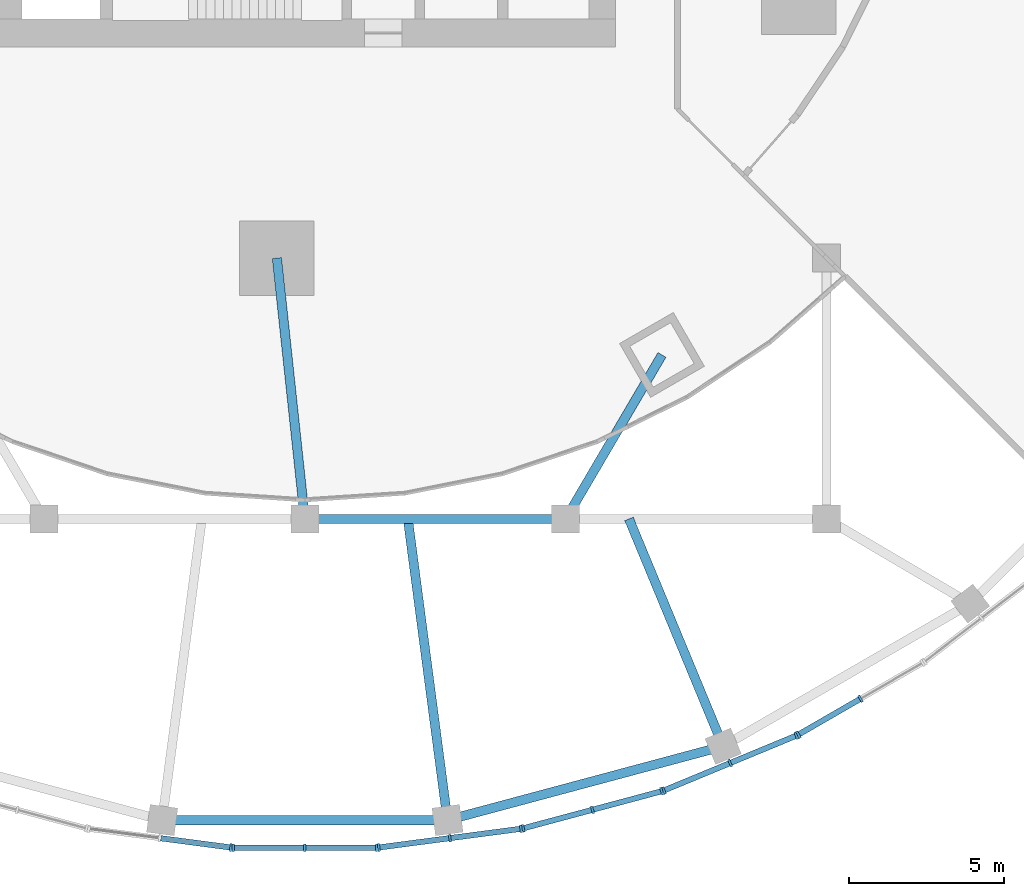
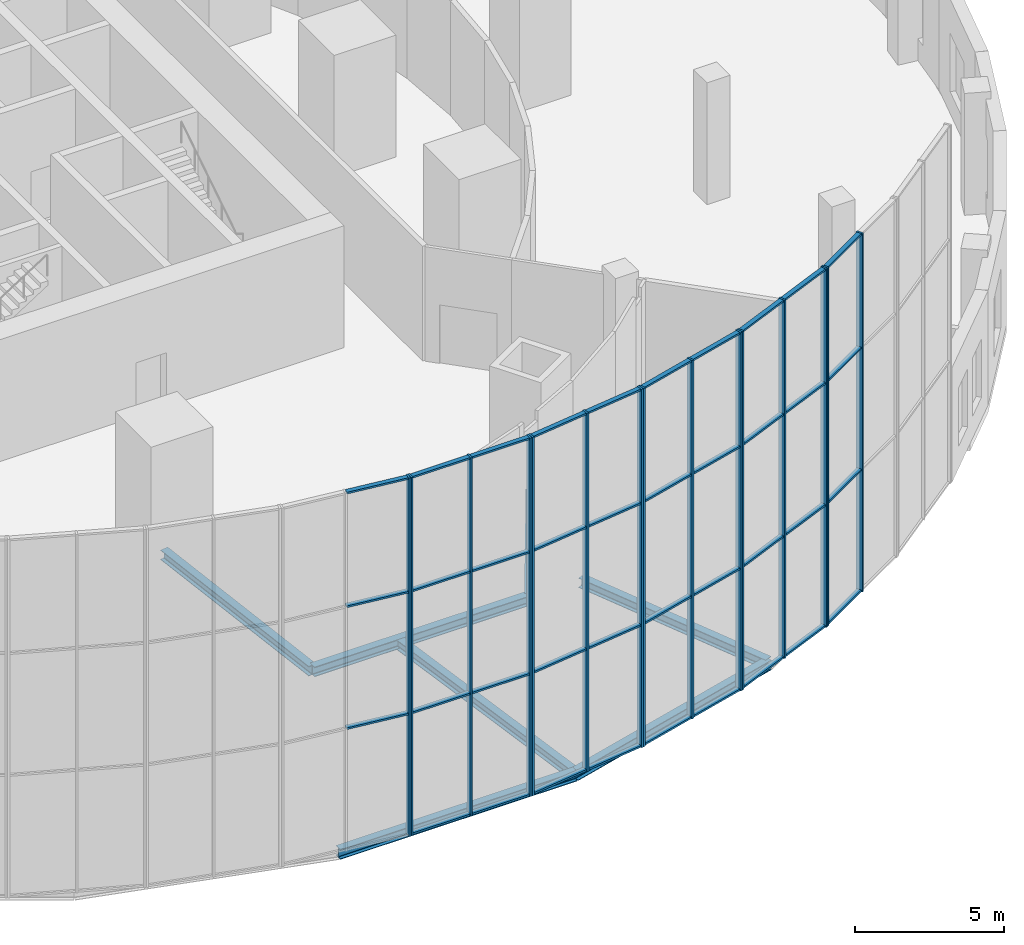
# One storey, part 3 of 17: 54 members, 7 beams, 6 elements without a shape of their own.
"""IFC4 building model written with IfcOpenShell, lengths in metres."""

from ifc_helpers import new_model, si_unit, direction, frame, origin, origin_2d, place, context, subcontext, project, spatial, rectangle, i_section, extrude, material, material_profile, profile_set, type_object, element, aggregate, save


model = new_model("IFC4")

# Units and contexts
model_context = context("Model", 3, precision=1e-05, world=origin(), true_north=direction((0.0, 1.0)))
body_context = subcontext(model_context, "Body", "Model", "MODEL_VIEW")
ifc_project = project(units=[si_unit("LENGTHUNIT", "METRE"), si_unit("AREAUNIT", "SQUARE_METRE"), si_unit("VOLUMEUNIT", "CUBIC_METRE"), si_unit("PLANEANGLEUNIT", "RADIAN"), si_unit("MASSUNIT", "GRAM", prefix="KILO")], contexts=[model_context])

# Site, building, storey
site_placement = place(None, origin())
site = spatial("IfcSite", under=ifc_project, at=site_placement, CompositionType="ELEMENT")
building_placement = place(site_placement, origin())
building = spatial("IfcBuilding", under=site, at=building_placement, Name="Golbaran Civic Tower", CompositionType="ELEMENT")
storey_placement = place(building_placement, frame((0.0, 0.0, 6.0)))
storey = spatial("IfcBuildingStorey", under=building, at=storey_placement, Name="L01", CompositionType="ELEMENT", Elevation=6.0)

# Beams
ifc_material_1 = material(Name="Steel S355", Category="steel")
ifc_material_profile_1 = material_profile(ifc_material_1, i_section(OverallWidth=0.300048828125, OverallDepth=0.39990234375, WebThickness=0.013427734375, FlangeThickness=0.02392578125, FilletRadius=0.027099609375, at=origin_2d()), Name="HEB 400")
ifc_profile_set_1 = profile_set([ifc_material_profile_1], Name="Steel S355")
beam_type = type_object("IfcBeamType", Name="ATRIUM BRACING TIE HEB 400", PredefinedType="BEAM", material=ifc_profile_set_1)
beam_1_placement = place(storey_placement, frame((0.0, -25.199951171875, -0.5), z_axis=(1.0, 0.0, 0.0), x_axis=(0.0, 1.0, 0.0)))
element("IfcBeam", 1, at=beam_1_placement, inside=storey, type_object=beam_type, Name="Atrium bracing tie L01 ROW 03", PredefinedType="BEAM", context=body_context, shape_type="SweptSolid", body=[
    extrude(i_section(OverallWidth=0.300048828125, OverallDepth=0.39990234375, WebThickness=0.013427734375, FlangeThickness=0.02392578125, FilletRadius=0.027099609375, at=origin_2d()), origin(), (0.0, 0.0, 1.0), 8.39990234375),
])
beam_2_placement = place(storey_placement, frame((-4.594482421875, -34.89892578125, -0.5), z_axis=(1.0, 0.0, 0.0), x_axis=(0.0, 1.0, 0.0)))
element("IfcBeam", 2, at=beam_2_placement, inside=storey, type_object=beam_type, Name="Atrium bracing tie L01 RING 04", PredefinedType="BEAM", context=body_context, shape_type="SweptSolid", body=[
    extrude(i_section(OverallWidth=0.300048828125, OverallDepth=0.39990234375, WebThickness=0.013427734375, FlangeThickness=0.02392578125, FilletRadius=0.027099609375, at=origin_2d()), origin(), (0.0, 0.0, 1.0), 9.18896484375),
])
beam_3_placement = place(storey_placement, frame((4.594482421875, -34.89892578125, -0.5), z_axis=(0.965922909277, 0.258829931295, 0.0), x_axis=(-0.258829931295, 0.965922909277, 0.0)))
element("IfcBeam", 3, at=beam_3_placement, inside=storey, type_object=beam_type, Name="Atrium bracing tie L01 RING 05", PredefinedType="BEAM", context=body_context, shape_type="SweptSolid", body=[
    extrude(i_section(OverallWidth=0.300048828125, OverallDepth=0.39990234375, WebThickness=0.013427734375, FlangeThickness=0.02392578125, FilletRadius=0.027099609375, at=origin_2d()), origin(), (0.0, 0.0, 1.0), 9.189208984375),
])
beam_4_placement = place(storey_placement, frame((0.0, -25.199951171875, -0.5), z_axis=(-0.106522919579, 0.994310247159, 0.0), x_axis=(-0.994310247159, -0.106522919579, 0.0)))
element("IfcBeam", 4, at=beam_4_placement, inside=storey, type_object=beam_type, Name="Atrium bracing tie L01 GR 6C", PredefinedType="BEAM", context=body_context, shape_type="SweptSolid", body=[
    extrude(i_section(OverallWidth=0.300048828125, OverallDepth=0.39990234375, WebThickness=0.013427734375, FlangeThickness=0.02392578125, FilletRadius=0.027099609375, at=origin_2d()), origin(), (0.0, 0.0, 1.0), 8.447998046875),
])
beam_5_placement = place(storey_placement, frame((8.39990234375, -25.199951171875, -0.5), z_axis=(0.506228930688, 0.862399135977, 0.0), x_axis=(-0.862399135977, 0.506228930688, 0.0)))
element("IfcBeam", 5, at=beam_5_placement, inside=storey, type_object=beam_type, Name="Atrium bracing tie L01 GR 7C", PredefinedType="BEAM", context=body_context, shape_type="SweptSolid", body=[
    extrude(i_section(OverallWidth=0.300048828125, OverallDepth=0.39990234375, WebThickness=0.013427734375, FlangeThickness=0.02392578125, FilletRadius=0.027099609375, at=origin_2d()), origin(), (0.0, 0.0, 1.0), 6.1240234375),
])
beam_6_placement = place(storey_placement, frame((4.594482421875, -34.89892578125, -0.5), z_axis=(-0.130522297348, 0.991445374136, 0.0), x_axis=(-0.991445374136, -0.130522297348, 0.0)))
element("IfcBeam", 6, at=beam_6_placement, inside=storey, type_object=beam_type, Name="Atrium bracing tie L01 ER 2775", PredefinedType="BEAM", context=body_context, shape_type="SweptSolid", body=[
    extrude(i_section(OverallWidth=0.300048828125, OverallDepth=0.39990234375, WebThickness=0.013427734375, FlangeThickness=0.02392578125, FilletRadius=0.027099609375, at=origin_2d()), origin(), (0.0, 0.0, 1.0), 9.78271484375),
])
beam_7_placement = place(storey_placement, frame((13.470458984375, -32.5205078125, -0.5), z_axis=(-0.382678339047, 0.923881642216, 0.0), x_axis=(-0.923881642216, -0.382678339047, 0.0)))
element("IfcBeam", 7, at=beam_7_placement, inside=storey, type_object=beam_type, Name="Atrium bracing tie L01 ER 2925", PredefinedType="BEAM", context=body_context, shape_type="SweptSolid", body=[
    extrude(i_section(OverallWidth=0.300048828125, OverallDepth=0.39990234375, WebThickness=0.013427734375, FlangeThickness=0.02392578125, FilletRadius=0.027099609375, at=origin_2d()), origin(), (0.0, 0.0, 1.0), 7.923583984375),
])

# Curtain wall, member
ifc_material_2 = material(Name="Aluminium and glass", Category="aluminium")
curtain_wall_type = type_object("IfcCurtainWallType", Name="ATRIUM CURTAIN WALL", PredefinedType="NOTDEFINED", material=ifc_material_2)
curtain_wall_1_placement = place(storey_placement, origin())
curtain_wall_1 = element("IfcCurtainWall", 8, at=curtain_wall_1_placement, inside=storey, type_object=curtain_wall_type, Name="Atrium curtain wall facet 35 CW4", ObjectType="ATRIUM GLAZING", PredefinedType="USERDEFINED")
ifc_material_3 = material(Name="Aluminium", Category="aluminium")
ifc_material_profile_2 = material_profile(ifc_material_3, rectangle(XDim=0.25, YDim=0.074951171875, at=origin_2d()), Name="ATRIUM CURTAIN WALL MULLION")
ifc_profile_set_2 = profile_set([ifc_material_profile_2], Name="Aluminium")
member_type_1 = type_object("IfcMemberType", Name="ATRIUM CURTAIN WALL MULLION", PredefinedType="MULLION", material=ifc_profile_set_2)
member_1_placement = place(storey_placement, frame((-2.382568359375, -35.780029296875, 0.0), z_axis=(0.0, 0.0, 1.0), x_axis=(0.130526192134, 0.991444861385, 0.0)))
member_1 = element("IfcMember", 9, at=member_1_placement, type_object=member_type_1, Name="CW4 mullion 3", PredefinedType="MULLION", context=body_context, shape_type="SweptSolid", body=[
    extrude(rectangle(XDim=0.25, YDim=0.074951171875, at=origin_2d()), origin(), (0.0, 0.0, 1.0), 14.699951171875),
])

# Curtain wall, members
curtain_wall_2_placement = place(storey_placement, origin())
curtain_wall_2 = element("IfcCurtainWall", 10, at=curtain_wall_2_placement, inside=storey, type_object=curtain_wall_type, Name="Atrium curtain wall facet 36 CW4", ObjectType="ATRIUM GLAZING", PredefinedType="USERDEFINED")
member_2_placement = place(storey_placement, frame((-2.307861328125, -35.784912109375, 0.0), z_axis=(0.0, 0.0, 1.0), x_axis=(0.0, 1.0, 0.0)))
member_2 = element("IfcMember", 11, at=member_2_placement, type_object=member_type_1, Name="CW4 mullion 1", PredefinedType="MULLION", context=body_context, shape_type="SweptSolid", body=[
    extrude(rectangle(XDim=0.25, YDim=0.074951171875, at=origin_2d()), origin(), (0.0, 0.0, 1.0), 14.699951171875),
])
member_3_placement = place(storey_placement, frame((0.0, -35.784912109375, 0.0), z_axis=(0.0, 0.0, 1.0), x_axis=(0.0, 1.0, 0.0)))
member_3 = element("IfcMember", 12, at=member_3_placement, type_object=member_type_1, Name="CW4 mullion 2", PredefinedType="MULLION", context=body_context, shape_type="SweptSolid", body=[
    extrude(rectangle(XDim=0.25, YDim=0.074951171875, at=origin_2d()), origin(), (0.0, 0.0, 1.0), 14.699951171875),
])
member_4_placement = place(storey_placement, frame((2.307861328125, -35.784912109375, 0.0), z_axis=(0.0, 0.0, 1.0), x_axis=(0.0, 1.0, 0.0)))
member_4 = element("IfcMember", 13, at=member_4_placement, type_object=member_type_1, Name="CW4 mullion 3", PredefinedType="MULLION", context=body_context, shape_type="SweptSolid", body=[
    extrude(rectangle(XDim=0.25, YDim=0.074951171875, at=origin_2d()), origin(), (0.0, 0.0, 1.0), 14.699951171875),
])

curtain_wall_3_placement = place(storey_placement, origin())
curtain_wall_3 = element("IfcCurtainWall", 14, at=curtain_wall_3_placement, inside=storey, type_object=curtain_wall_type, Name="Atrium curtain wall facet 37 CW4", ObjectType="ATRIUM GLAZING", PredefinedType="USERDEFINED")
member_5_placement = place(storey_placement, frame((2.382568359375, -35.780029296875, 0.0), z_axis=(0.0, 0.0, 1.0), x_axis=(-0.130526192134, 0.991444861385, 0.0)))
member_5 = element("IfcMember", 15, at=member_5_placement, type_object=member_type_1, Name="CW4 mullion 1", PredefinedType="MULLION", context=body_context, shape_type="SweptSolid", body=[
    extrude(rectangle(XDim=0.25, YDim=0.074951171875, at=origin_2d()), origin(), (0.0, 0.0, 1.0), 14.699951171875),
])
member_6_placement = place(storey_placement, frame((4.6708984375, -35.478759765625, 0.0), z_axis=(0.0, 0.0, 1.0), x_axis=(-0.130526192134, 0.991444861385, 0.0)))
member_6 = element("IfcMember", 16, at=member_6_placement, type_object=member_type_1, Name="CW4 mullion 2", PredefinedType="MULLION", context=body_context, shape_type="SweptSolid", body=[
    extrude(rectangle(XDim=0.25, YDim=0.074951171875, at=origin_2d()), origin(), (0.0, 0.0, 1.0), 14.699951171875),
])
member_7_placement = place(storey_placement, frame((6.959228515625, -35.177490234375, 0.0), z_axis=(0.0, 0.0, 1.0), x_axis=(-0.130526192134, 0.991444861385, 0.0)))
member_7 = element("IfcMember", 17, at=member_7_placement, type_object=member_type_1, Name="CW4 mullion 3", PredefinedType="MULLION", context=body_context, shape_type="SweptSolid", body=[
    extrude(rectangle(XDim=0.25, YDim=0.074951171875, at=origin_2d()), origin(), (0.0, 0.0, 1.0), 14.699951171875),
])

curtain_wall_4_placement = place(storey_placement, origin())
curtain_wall_4 = element("IfcCurtainWall", 18, at=curtain_wall_4_placement, inside=storey, type_object=curtain_wall_type, Name="Atrium curtain wall facet 38 CW4", ObjectType="ATRIUM GLAZING", PredefinedType="USERDEFINED")
member_8_placement = place(storey_placement, frame((7.032470703125, -35.1630859375, 0.0), z_axis=(0.0, 0.0, 1.0), x_axis=(-0.258819045153, 0.965925826276, 0.0)))
member_8 = element("IfcMember", 19, at=member_8_placement, type_object=member_type_1, Name="CW4 mullion 1", PredefinedType="MULLION", context=body_context, shape_type="SweptSolid", body=[
    extrude(rectangle(XDim=0.25, YDim=0.074951171875, at=origin_2d()), origin(), (0.0, 0.0, 1.0), 14.699951171875),
])
member_9_placement = place(storey_placement, frame((9.26171875, -34.565673828125, 0.0), z_axis=(0.0, 0.0, 1.0), x_axis=(-0.258819045153, 0.965925826276, 0.0)))
member_9 = element("IfcMember", 20, at=member_9_placement, type_object=member_type_1, Name="CW4 mullion 2", PredefinedType="MULLION", context=body_context, shape_type="SweptSolid", body=[
    extrude(rectangle(XDim=0.25, YDim=0.074951171875, at=origin_2d()), origin(), (0.0, 0.0, 1.0), 14.699951171875),
])
member_10_placement = place(storey_placement, frame((11.4912109375, -33.96826171875, 0.0), z_axis=(0.0, 0.0, 1.0), x_axis=(-0.258819045153, 0.965925826276, 0.0)))
member_10 = element("IfcMember", 21, at=member_10_placement, type_object=member_type_1, Name="CW4 mullion 3", PredefinedType="MULLION", context=body_context, shape_type="SweptSolid", body=[
    extrude(rectangle(XDim=0.25, YDim=0.074951171875, at=origin_2d()), origin(), (0.0, 0.0, 1.0), 14.699951171875),
])

curtain_wall_5_placement = place(storey_placement, origin())
curtain_wall_5 = element("IfcCurtainWall", 22, at=curtain_wall_5_placement, inside=storey, type_object=curtain_wall_type, Name="Atrium curtain wall facet 39 CW4", ObjectType="ATRIUM GLAZING", PredefinedType="USERDEFINED")
member_11_placement = place(storey_placement, frame((11.56201171875, -33.9443359375, 0.0), z_axis=(0.0, 0.0, 1.0), x_axis=(-0.382683432349, 0.923879532518, 0.0)))
member_11 = element("IfcMember", 23, at=member_11_placement, type_object=member_type_1, Name="CW4 mullion 1", PredefinedType="MULLION", context=body_context, shape_type="SweptSolid", body=[
    extrude(rectangle(XDim=0.25, YDim=0.074951171875, at=origin_2d()), origin(), (0.0, 0.0, 1.0), 14.699951171875),
])
member_12_placement = place(storey_placement, frame((13.6943359375, -33.06103515625, 0.0), z_axis=(0.0, 0.0, 1.0), x_axis=(-0.382683432349, 0.923879532518, 0.0)))
member_12 = element("IfcMember", 24, at=member_12_placement, type_object=member_type_1, Name="CW4 mullion 2", PredefinedType="MULLION", context=body_context, shape_type="SweptSolid", body=[
    extrude(rectangle(XDim=0.25, YDim=0.074951171875, at=origin_2d()), origin(), (0.0, 0.0, 1.0), 14.699951171875),
])
member_13_placement = place(storey_placement, frame((15.82666015625, -32.177734375, 0.0), z_axis=(0.0, 0.0, 1.0), x_axis=(-0.382683432349, 0.923879532518, 0.0)))
member_13 = element("IfcMember", 25, at=member_13_placement, type_object=member_type_1, Name="CW4 mullion 3", PredefinedType="MULLION", context=body_context, shape_type="SweptSolid", body=[
    extrude(rectangle(XDim=0.25, YDim=0.074951171875, at=origin_2d()), origin(), (0.0, 0.0, 1.0), 14.699951171875),
])

curtain_wall_6_placement = place(storey_placement, origin())
curtain_wall_6 = element("IfcCurtainWall", 26, at=curtain_wall_6_placement, inside=storey, type_object=curtain_wall_type, Name="Atrium curtain wall facet 40 CW4", ObjectType="ATRIUM GLAZING", PredefinedType="USERDEFINED")
member_14_placement = place(storey_placement, frame((15.893798828125, -32.144775390625, 0.0), z_axis=(0.0, 0.0, 1.0), x_axis=(-0.500000000076, 0.866025403741, 0.0)))
member_14 = element("IfcMember", 27, at=member_14_placement, type_object=member_type_1, Name="CW4 mullion 1", PredefinedType="MULLION", context=body_context, shape_type="SweptSolid", body=[
    extrude(rectangle(XDim=0.25, YDim=0.074951171875, at=origin_2d()), origin(), (0.0, 0.0, 1.0), 14.699951171875),
])
member_15_placement = place(storey_placement, frame((17.892578125, -30.99072265625, 0.0), z_axis=(0.0, 0.0, 1.0), x_axis=(-0.500000000076, 0.866025403741, 0.0)))
member_15 = element("IfcMember", 28, at=member_15_placement, type_object=member_type_1, Name="CW4 mullion 2", PredefinedType="MULLION", context=body_context, shape_type="SweptSolid", body=[
    extrude(rectangle(XDim=0.25, YDim=0.074951171875, at=origin_2d()), origin(), (0.0, 0.0, 1.0), 14.699951171875),
])

# Member
ifc_material_profile_3 = material_profile(ifc_material_3, rectangle(XDim=0.179931640625, YDim=0.074951171875, at=origin_2d()), Name="ATRIUM CURTAIN WALL TRANSOM")
ifc_profile_set_3 = profile_set([ifc_material_profile_3], Name="Aluminium")
member_type_2 = type_object("IfcMemberType", Name="ATRIUM CURTAIN WALL TRANSOM", PredefinedType="USERDEFINED", material=ifc_profile_set_3)
member_16_placement = place(storey_placement, frame((-4.6337890625, -35.483642578125, 5.0), z_axis=(0.991442382991, -0.130545016022, 0.0), x_axis=(0.130545016022, 0.991442382991, 0.0)))
member_16 = element("IfcMember", 29, at=member_16_placement, type_object=member_type_2, Name="CW4 transom 2.2", ObjectType="TRANSOM", PredefinedType="USERDEFINED", context=body_context, shape_type="SweptSolid", body=[
    extrude(rectangle(XDim=0.179931640625, YDim=0.074951171875, at=origin_2d()), origin(), (0.0, 0.0, 1.0), 2.23291015625),
])

member_17_placement = place(storey_placement, frame((-4.6337890625, -35.483642578125, 10.0), z_axis=(0.991442382991, -0.130545016022, 0.0), x_axis=(0.130545016022, 0.991442382991, 0.0)))
member_17 = element("IfcMember", 30, at=member_17_placement, type_object=member_type_2, Name="CW4 transom 2.3", ObjectType="TRANSOM", PredefinedType="USERDEFINED", context=body_context, shape_type="SweptSolid", body=[
    extrude(rectangle(XDim=0.179931640625, YDim=0.074951171875, at=origin_2d()), origin(), (0.0, 0.0, 1.0), 2.23291015625),
])

member_18_placement = place(storey_placement, frame((-4.6337890625, -35.483642578125, 14.66259765625), z_axis=(0.991442382991, -0.130545016022, 0.0), x_axis=(0.130545016022, 0.991442382991, 0.0)))
member_18 = element("IfcMember", 31, at=member_18_placement, type_object=member_type_2, Name="CW4 transom 2.4", ObjectType="TRANSOM", PredefinedType="USERDEFINED", context=body_context, shape_type="SweptSolid", body=[
    extrude(rectangle(XDim=0.179931640625, YDim=0.074951171875, at=origin_2d()), origin(), (0.0, 0.0, 1.0), 2.23291015625),
])

aggregate(curtain_wall_1, [member_1, member_16, member_17, member_18])

member_19_placement = place(storey_placement, frame((-2.2705078125, -35.784912109375, 0.03759765625), z_axis=(1.0, 0.0, 0.0), x_axis=(0.0, 1.0, 0.0)))
member_19 = element("IfcMember", 32, at=member_19_placement, type_object=member_type_2, Name="CW4 transom 1.1", ObjectType="TRANSOM", PredefinedType="USERDEFINED", context=body_context, shape_type="SweptSolid", body=[
    extrude(rectangle(XDim=0.179931640625, YDim=0.074951171875, at=origin_2d()), origin(), (0.0, 0.0, 1.0), 2.23291015625),
])

member_20_placement = place(storey_placement, frame((-2.2705078125, -35.784912109375, 5.0), z_axis=(1.0, 0.0, 0.0), x_axis=(0.0, 1.0, 0.0)))
member_20 = element("IfcMember", 33, at=member_20_placement, type_object=member_type_2, Name="CW4 transom 1.2", ObjectType="TRANSOM", PredefinedType="USERDEFINED", context=body_context, shape_type="SweptSolid", body=[
    extrude(rectangle(XDim=0.179931640625, YDim=0.074951171875, at=origin_2d()), origin(), (0.0, 0.0, 1.0), 2.23291015625),
])

member_21_placement = place(storey_placement, frame((-2.2705078125, -35.784912109375, 10.0), z_axis=(1.0, 0.0, 0.0), x_axis=(0.0, 1.0, 0.0)))
member_21 = element("IfcMember", 34, at=member_21_placement, type_object=member_type_2, Name="CW4 transom 1.3", ObjectType="TRANSOM", PredefinedType="USERDEFINED", context=body_context, shape_type="SweptSolid", body=[
    extrude(rectangle(XDim=0.179931640625, YDim=0.074951171875, at=origin_2d()), origin(), (0.0, 0.0, 1.0), 2.23291015625),
])

member_22_placement = place(storey_placement, frame((-2.2705078125, -35.784912109375, 14.66259765625), z_axis=(1.0, 0.0, 0.0), x_axis=(0.0, 1.0, 0.0)))
member_22 = element("IfcMember", 35, at=member_22_placement, type_object=member_type_2, Name="CW4 transom 1.4", ObjectType="TRANSOM", PredefinedType="USERDEFINED", context=body_context, shape_type="SweptSolid", body=[
    extrude(rectangle(XDim=0.179931640625, YDim=0.074951171875, at=origin_2d()), origin(), (0.0, 0.0, 1.0), 2.23291015625),
])

member_23_placement = place(storey_placement, frame((0.03759765625, -35.784912109375, 0.03759765625), z_axis=(1.0, 0.0, 0.0), x_axis=(0.0, 1.0, 0.0)))
member_23 = element("IfcMember", 36, at=member_23_placement, type_object=member_type_2, Name="CW4 transom 2.1", ObjectType="TRANSOM", PredefinedType="USERDEFINED", context=body_context, shape_type="SweptSolid", body=[
    extrude(rectangle(XDim=0.179931640625, YDim=0.074951171875, at=origin_2d()), origin(), (0.0, 0.0, 1.0), 2.23291015625),
])

member_24_placement = place(storey_placement, frame((0.03759765625, -35.784912109375, 5.0), z_axis=(1.0, 0.0, 0.0), x_axis=(0.0, 1.0, 0.0)))
member_24 = element("IfcMember", 37, at=member_24_placement, type_object=member_type_2, Name="CW4 transom 2.2", ObjectType="TRANSOM", PredefinedType="USERDEFINED", context=body_context, shape_type="SweptSolid", body=[
    extrude(rectangle(XDim=0.179931640625, YDim=0.074951171875, at=origin_2d()), origin(), (0.0, 0.0, 1.0), 2.23291015625),
])

member_25_placement = place(storey_placement, frame((0.03759765625, -35.784912109375, 10.0), z_axis=(1.0, 0.0, 0.0), x_axis=(0.0, 1.0, 0.0)))
member_25 = element("IfcMember", 38, at=member_25_placement, type_object=member_type_2, Name="CW4 transom 2.3", ObjectType="TRANSOM", PredefinedType="USERDEFINED", context=body_context, shape_type="SweptSolid", body=[
    extrude(rectangle(XDim=0.179931640625, YDim=0.074951171875, at=origin_2d()), origin(), (0.0, 0.0, 1.0), 2.23291015625),
])

member_26_placement = place(storey_placement, frame((0.03759765625, -35.784912109375, 14.66259765625), z_axis=(1.0, 0.0, 0.0), x_axis=(0.0, 1.0, 0.0)))
member_26 = element("IfcMember", 39, at=member_26_placement, type_object=member_type_2, Name="CW4 transom 2.4", ObjectType="TRANSOM", PredefinedType="USERDEFINED", context=body_context, shape_type="SweptSolid", body=[
    extrude(rectangle(XDim=0.179931640625, YDim=0.074951171875, at=origin_2d()), origin(), (0.0, 0.0, 1.0), 2.23291015625),
])

aggregate(curtain_wall_2, [member_2, member_3, member_4, member_19, member_20, member_21, member_22, member_23, member_24, member_25, member_26])

member_27_placement = place(storey_placement, frame((2.419921875, -35.775146484375, 0.03759765625), z_axis=(0.991442382991, 0.130545016022, 0.0), x_axis=(-0.130545016022, 0.991442382991, 0.0)))
member_27 = element("IfcMember", 40, at=member_27_placement, type_object=member_type_2, Name="CW4 transom 1.1", ObjectType="TRANSOM", PredefinedType="USERDEFINED", context=body_context, shape_type="SweptSolid", body=[
    extrude(rectangle(XDim=0.179931640625, YDim=0.074951171875, at=origin_2d()), origin(), (0.0, 0.0, 1.0), 2.23291015625),
])

member_28_placement = place(storey_placement, frame((2.419921875, -35.775146484375, 5.0), z_axis=(0.991442382991, 0.130545016022, 0.0), x_axis=(-0.130545016022, 0.991442382991, 0.0)))
member_28 = element("IfcMember", 41, at=member_28_placement, type_object=member_type_2, Name="CW4 transom 1.2", ObjectType="TRANSOM", PredefinedType="USERDEFINED", context=body_context, shape_type="SweptSolid", body=[
    extrude(rectangle(XDim=0.179931640625, YDim=0.074951171875, at=origin_2d()), origin(), (0.0, 0.0, 1.0), 2.23291015625),
])

member_29_placement = place(storey_placement, frame((2.419921875, -35.775146484375, 10.0), z_axis=(0.991442382991, 0.130545016022, 0.0), x_axis=(-0.130545016022, 0.991442382991, 0.0)))
member_29 = element("IfcMember", 42, at=member_29_placement, type_object=member_type_2, Name="CW4 transom 1.3", ObjectType="TRANSOM", PredefinedType="USERDEFINED", context=body_context, shape_type="SweptSolid", body=[
    extrude(rectangle(XDim=0.179931640625, YDim=0.074951171875, at=origin_2d()), origin(), (0.0, 0.0, 1.0), 2.23291015625),
])

member_30_placement = place(storey_placement, frame((2.419921875, -35.775146484375, 14.66259765625), z_axis=(0.991442382991, 0.130545016022, 0.0), x_axis=(-0.130545016022, 0.991442382991, 0.0)))
member_30 = element("IfcMember", 43, at=member_30_placement, type_object=member_type_2, Name="CW4 transom 1.4", ObjectType="TRANSOM", PredefinedType="USERDEFINED", context=body_context, shape_type="SweptSolid", body=[
    extrude(rectangle(XDim=0.179931640625, YDim=0.074951171875, at=origin_2d()), origin(), (0.0, 0.0, 1.0), 2.23291015625),
])

member_31_placement = place(storey_placement, frame((4.7080078125, -35.473876953125, 0.03759765625), z_axis=(0.991456528258, 0.130437542811, 0.0), x_axis=(-0.130437542811, 0.991456528258, 0.0)))
member_31 = element("IfcMember", 44, at=member_31_placement, type_object=member_type_2, Name="CW4 transom 2.1", ObjectType="TRANSOM", PredefinedType="USERDEFINED", context=body_context, shape_type="SweptSolid", body=[
    extrude(rectangle(XDim=0.179931640625, YDim=0.074951171875, at=origin_2d()), origin(), (0.0, 0.0, 1.0), 2.23291015625),
])

member_32_placement = place(storey_placement, frame((4.7080078125, -35.473876953125, 5.0), z_axis=(0.991456528258, 0.130437542811, 0.0), x_axis=(-0.130437542811, 0.991456528258, 0.0)))
member_32 = element("IfcMember", 45, at=member_32_placement, type_object=member_type_2, Name="CW4 transom 2.2", ObjectType="TRANSOM", PredefinedType="USERDEFINED", context=body_context, shape_type="SweptSolid", body=[
    extrude(rectangle(XDim=0.179931640625, YDim=0.074951171875, at=origin_2d()), origin(), (0.0, 0.0, 1.0), 2.23291015625),
])

member_33_placement = place(storey_placement, frame((4.7080078125, -35.473876953125, 10.0), z_axis=(0.991456528258, 0.130437542811, 0.0), x_axis=(-0.130437542811, 0.991456528258, 0.0)))
member_33 = element("IfcMember", 46, at=member_33_placement, type_object=member_type_2, Name="CW4 transom 2.3", ObjectType="TRANSOM", PredefinedType="USERDEFINED", context=body_context, shape_type="SweptSolid", body=[
    extrude(rectangle(XDim=0.179931640625, YDim=0.074951171875, at=origin_2d()), origin(), (0.0, 0.0, 1.0), 2.23291015625),
])

member_34_placement = place(storey_placement, frame((4.7080078125, -35.473876953125, 14.66259765625), z_axis=(0.991456528258, 0.130437542811, 0.0), x_axis=(-0.130437542811, 0.991456528258, 0.0)))
member_34 = element("IfcMember", 47, at=member_34_placement, type_object=member_type_2, Name="CW4 transom 2.4", ObjectType="TRANSOM", PredefinedType="USERDEFINED", context=body_context, shape_type="SweptSolid", body=[
    extrude(rectangle(XDim=0.179931640625, YDim=0.074951171875, at=origin_2d()), origin(), (0.0, 0.0, 1.0), 2.23291015625),
])

aggregate(curtain_wall_3, [member_5, member_6, member_7, member_27, member_28, member_29, member_30, member_31, member_32, member_33, member_34])

member_35_placement = place(storey_placement, frame((7.06884765625, -35.1533203125, 0.03759765625), z_axis=(0.965927552941, 0.258812601065, 0.0), x_axis=(-0.258812601065, 0.965927552941, 0.0)))
member_35 = element("IfcMember", 48, at=member_35_placement, type_object=member_type_2, Name="CW4 transom 1.1", ObjectType="TRANSOM", PredefinedType="USERDEFINED", context=body_context, shape_type="SweptSolid", body=[
    extrude(rectangle(XDim=0.179931640625, YDim=0.074951171875, at=origin_2d()), origin(), (0.0, 0.0, 1.0), 2.23291015625),
])

member_36_placement = place(storey_placement, frame((7.06884765625, -35.1533203125, 5.0), z_axis=(0.965927552941, 0.258812601065, 0.0), x_axis=(-0.258812601065, 0.965927552941, 0.0)))
member_36 = element("IfcMember", 49, at=member_36_placement, type_object=member_type_2, Name="CW4 transom 1.2", ObjectType="TRANSOM", PredefinedType="USERDEFINED", context=body_context, shape_type="SweptSolid", body=[
    extrude(rectangle(XDim=0.179931640625, YDim=0.074951171875, at=origin_2d()), origin(), (0.0, 0.0, 1.0), 2.23291015625),
])

member_37_placement = place(storey_placement, frame((7.06884765625, -35.1533203125, 10.0), z_axis=(0.965927552941, 0.258812601065, 0.0), x_axis=(-0.258812601065, 0.965927552941, 0.0)))
member_37 = element("IfcMember", 50, at=member_37_placement, type_object=member_type_2, Name="CW4 transom 1.3", ObjectType="TRANSOM", PredefinedType="USERDEFINED", context=body_context, shape_type="SweptSolid", body=[
    extrude(rectangle(XDim=0.179931640625, YDim=0.074951171875, at=origin_2d()), origin(), (0.0, 0.0, 1.0), 2.23291015625),
])

member_38_placement = place(storey_placement, frame((7.06884765625, -35.1533203125, 14.66259765625), z_axis=(0.965927552941, 0.258812601065, 0.0), x_axis=(-0.258812601065, 0.965927552941, 0.0)))
member_38 = element("IfcMember", 51, at=member_38_placement, type_object=member_type_2, Name="CW4 transom 1.4", ObjectType="TRANSOM", PredefinedType="USERDEFINED", context=body_context, shape_type="SweptSolid", body=[
    extrude(rectangle(XDim=0.179931640625, YDim=0.074951171875, at=origin_2d()), origin(), (0.0, 0.0, 1.0), 2.23291015625),
])

member_39_placement = place(storey_placement, frame((9.298095703125, -34.555908203125, 0.03759765625), z_axis=(0.965927552941, 0.258812601065, 0.0), x_axis=(-0.258812601065, 0.965927552941, 0.0)))
member_39 = element("IfcMember", 52, at=member_39_placement, type_object=member_type_2, Name="CW4 transom 2.1", ObjectType="TRANSOM", PredefinedType="USERDEFINED", context=body_context, shape_type="SweptSolid", body=[
    extrude(rectangle(XDim=0.179931640625, YDim=0.074951171875, at=origin_2d()), origin(), (0.0, 0.0, 1.0), 2.23291015625),
])

member_40_placement = place(storey_placement, frame((9.298095703125, -34.555908203125, 5.0), z_axis=(0.965927552941, 0.258812601065, 0.0), x_axis=(-0.258812601065, 0.965927552941, 0.0)))
member_40 = element("IfcMember", 53, at=member_40_placement, type_object=member_type_2, Name="CW4 transom 2.2", ObjectType="TRANSOM", PredefinedType="USERDEFINED", context=body_context, shape_type="SweptSolid", body=[
    extrude(rectangle(XDim=0.179931640625, YDim=0.074951171875, at=origin_2d()), origin(), (0.0, 0.0, 1.0), 2.23291015625),
])

member_41_placement = place(storey_placement, frame((9.298095703125, -34.555908203125, 10.0), z_axis=(0.965927552941, 0.258812601065, 0.0), x_axis=(-0.258812601065, 0.965927552941, 0.0)))
member_41 = element("IfcMember", 54, at=member_41_placement, type_object=member_type_2, Name="CW4 transom 2.3", ObjectType="TRANSOM", PredefinedType="USERDEFINED", context=body_context, shape_type="SweptSolid", body=[
    extrude(rectangle(XDim=0.179931640625, YDim=0.074951171875, at=origin_2d()), origin(), (0.0, 0.0, 1.0), 2.23291015625),
])

member_42_placement = place(storey_placement, frame((9.298095703125, -34.555908203125, 14.66259765625), z_axis=(0.965927552941, 0.258812601065, 0.0), x_axis=(-0.258812601065, 0.965927552941, 0.0)))
member_42 = element("IfcMember", 55, at=member_42_placement, type_object=member_type_2, Name="CW4 transom 2.4", ObjectType="TRANSOM", PredefinedType="USERDEFINED", context=body_context, shape_type="SweptSolid", body=[
    extrude(rectangle(XDim=0.179931640625, YDim=0.074951171875, at=origin_2d()), origin(), (0.0, 0.0, 1.0), 2.23291015625),
])

aggregate(curtain_wall_4, [member_8, member_9, member_10, member_35, member_36, member_37, member_38, member_39, member_40, member_41, member_42])

member_43_placement = place(storey_placement, frame((11.5966796875, -33.929931640625, 0.03759765625), z_axis=(0.923883575944, 0.382673670509, 0.0), x_axis=(-0.382673670509, 0.923883575944, 0.0)))
member_43 = element("IfcMember", 56, at=member_43_placement, type_object=member_type_2, Name="CW4 transom 1.1", ObjectType="TRANSOM", PredefinedType="USERDEFINED", context=body_context, shape_type="SweptSolid", body=[
    extrude(rectangle(XDim=0.179931640625, YDim=0.074951171875, at=origin_2d()), origin(), (0.0, 0.0, 1.0), 2.23291015625),
])

member_44_placement = place(storey_placement, frame((11.5966796875, -33.929931640625, 5.0), z_axis=(0.923883575944, 0.382673670509, 0.0), x_axis=(-0.382673670509, 0.923883575944, 0.0)))
member_44 = element("IfcMember", 57, at=member_44_placement, type_object=member_type_2, Name="CW4 transom 1.2", ObjectType="TRANSOM", PredefinedType="USERDEFINED", context=body_context, shape_type="SweptSolid", body=[
    extrude(rectangle(XDim=0.179931640625, YDim=0.074951171875, at=origin_2d()), origin(), (0.0, 0.0, 1.0), 2.23291015625),
])

member_45_placement = place(storey_placement, frame((11.5966796875, -33.929931640625, 10.0), z_axis=(0.923883575944, 0.382673670509, 0.0), x_axis=(-0.382673670509, 0.923883575944, 0.0)))
member_45 = element("IfcMember", 58, at=member_45_placement, type_object=member_type_2, Name="CW4 transom 1.3", ObjectType="TRANSOM", PredefinedType="USERDEFINED", context=body_context, shape_type="SweptSolid", body=[
    extrude(rectangle(XDim=0.179931640625, YDim=0.074951171875, at=origin_2d()), origin(), (0.0, 0.0, 1.0), 2.23291015625),
])

member_46_placement = place(storey_placement, frame((11.5966796875, -33.929931640625, 14.66259765625), z_axis=(0.923883575944, 0.382673670509, 0.0), x_axis=(-0.382673670509, 0.923883575944, 0.0)))
member_46 = element("IfcMember", 59, at=member_46_placement, type_object=member_type_2, Name="CW4 transom 1.4", ObjectType="TRANSOM", PredefinedType="USERDEFINED", context=body_context, shape_type="SweptSolid", body=[
    extrude(rectangle(XDim=0.179931640625, YDim=0.074951171875, at=origin_2d()), origin(), (0.0, 0.0, 1.0), 2.23291015625),
])

member_47_placement = place(storey_placement, frame((13.72900390625, -33.046630859375, 0.03759765625), z_axis=(0.923883575944, 0.382673670509, 0.0), x_axis=(-0.382673670509, 0.923883575944, 0.0)))
member_47 = element("IfcMember", 60, at=member_47_placement, type_object=member_type_2, Name="CW4 transom 2.1", ObjectType="TRANSOM", PredefinedType="USERDEFINED", context=body_context, shape_type="SweptSolid", body=[
    extrude(rectangle(XDim=0.179931640625, YDim=0.074951171875, at=origin_2d()), origin(), (0.0, 0.0, 1.0), 2.23291015625),
])

member_48_placement = place(storey_placement, frame((13.72900390625, -33.046630859375, 5.0), z_axis=(0.923883575944, 0.382673670509, 0.0), x_axis=(-0.382673670509, 0.923883575944, 0.0)))
member_48 = element("IfcMember", 61, at=member_48_placement, type_object=member_type_2, Name="CW4 transom 2.2", ObjectType="TRANSOM", PredefinedType="USERDEFINED", context=body_context, shape_type="SweptSolid", body=[
    extrude(rectangle(XDim=0.179931640625, YDim=0.074951171875, at=origin_2d()), origin(), (0.0, 0.0, 1.0), 2.23291015625),
])

member_49_placement = place(storey_placement, frame((13.72900390625, -33.046630859375, 10.0), z_axis=(0.923883575944, 0.382673670509, 0.0), x_axis=(-0.382673670509, 0.923883575944, 0.0)))
member_49 = element("IfcMember", 62, at=member_49_placement, type_object=member_type_2, Name="CW4 transom 2.3", ObjectType="TRANSOM", PredefinedType="USERDEFINED", context=body_context, shape_type="SweptSolid", body=[
    extrude(rectangle(XDim=0.179931640625, YDim=0.074951171875, at=origin_2d()), origin(), (0.0, 0.0, 1.0), 2.23291015625),
])

member_50_placement = place(storey_placement, frame((13.72900390625, -33.046630859375, 14.66259765625), z_axis=(0.923883575944, 0.382673670509, 0.0), x_axis=(-0.382673670509, 0.923883575944, 0.0)))
member_50 = element("IfcMember", 63, at=member_50_placement, type_object=member_type_2, Name="CW4 transom 2.4", ObjectType="TRANSOM", PredefinedType="USERDEFINED", context=body_context, shape_type="SweptSolid", body=[
    extrude(rectangle(XDim=0.179931640625, YDim=0.074951171875, at=origin_2d()), origin(), (0.0, 0.0, 1.0), 2.23291015625),
])

aggregate(curtain_wall_5, [member_11, member_12, member_13, member_43, member_44, member_45, member_46, member_47, member_48, member_49, member_50])

member_51_placement = place(storey_placement, frame((15.92626953125, -32.1259765625, 0.03759765625), z_axis=(0.866034468987, 0.49998429828, 0.0), x_axis=(-0.49998429828, 0.866034468987, 0.0)))
member_51 = element("IfcMember", 64, at=member_51_placement, type_object=member_type_2, Name="CW4 transom 1.1", ObjectType="TRANSOM", PredefinedType="USERDEFINED", context=body_context, shape_type="SweptSolid", body=[
    extrude(rectangle(XDim=0.179931640625, YDim=0.074951171875, at=origin_2d()), origin(), (0.0, 0.0, 1.0), 2.23291015625),
])

member_52_placement = place(storey_placement, frame((15.92626953125, -32.1259765625, 5.0), z_axis=(0.866034468987, 0.49998429828, 0.0), x_axis=(-0.49998429828, 0.866034468987, 0.0)))
member_52 = element("IfcMember", 65, at=member_52_placement, type_object=member_type_2, Name="CW4 transom 1.2", ObjectType="TRANSOM", PredefinedType="USERDEFINED", context=body_context, shape_type="SweptSolid", body=[
    extrude(rectangle(XDim=0.179931640625, YDim=0.074951171875, at=origin_2d()), origin(), (0.0, 0.0, 1.0), 2.23291015625),
])

member_53_placement = place(storey_placement, frame((15.92626953125, -32.1259765625, 10.0), z_axis=(0.866034468987, 0.49998429828, 0.0), x_axis=(-0.49998429828, 0.866034468987, 0.0)))
member_53 = element("IfcMember", 66, at=member_53_placement, type_object=member_type_2, Name="CW4 transom 1.3", ObjectType="TRANSOM", PredefinedType="USERDEFINED", context=body_context, shape_type="SweptSolid", body=[
    extrude(rectangle(XDim=0.179931640625, YDim=0.074951171875, at=origin_2d()), origin(), (0.0, 0.0, 1.0), 2.23291015625),
])

member_54_placement = place(storey_placement, frame((15.92626953125, -32.1259765625, 14.66259765625), z_axis=(0.866034468987, 0.49998429828, 0.0), x_axis=(-0.49998429828, 0.866034468987, 0.0)))
member_54 = element("IfcMember", 67, at=member_54_placement, type_object=member_type_2, Name="CW4 transom 1.4", ObjectType="TRANSOM", PredefinedType="USERDEFINED", context=body_context, shape_type="SweptSolid", body=[
    extrude(rectangle(XDim=0.179931640625, YDim=0.074951171875, at=origin_2d()), origin(), (0.0, 0.0, 1.0), 2.23291015625),
])

aggregate(curtain_wall_6, [member_14, member_15, member_51, member_52, member_53, member_54])

save(model, "model.ifc")
